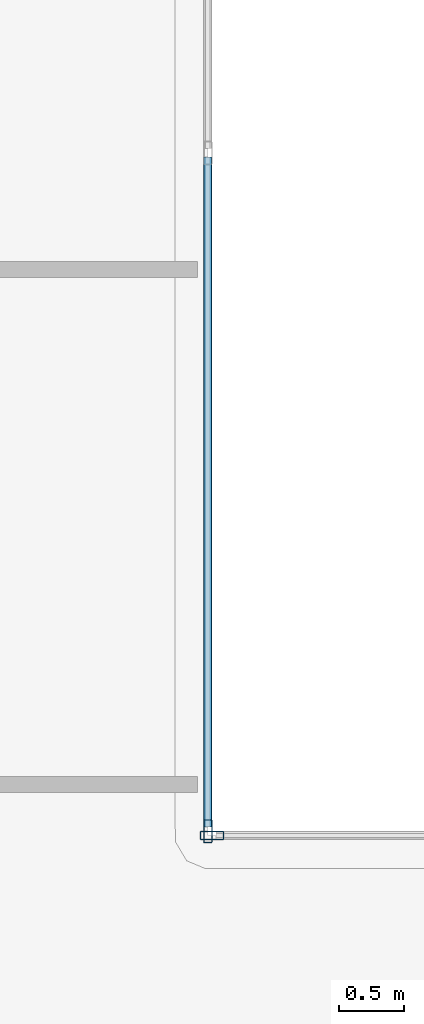
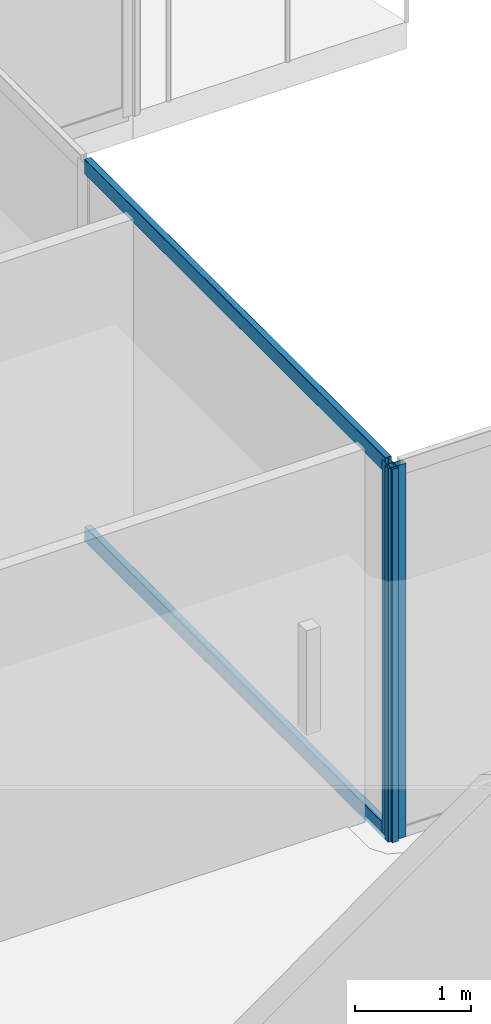
# One storey, part 15 of 52: 4 members, 2 elements without a shape of their own.
"""IFC4 building model written with IfcOpenShell, lengths in metres."""

from ifc_helpers import new_model, si_unit, direction, frame, origin, origin_2d, place, context, subcontext, project, spatial, hollow_rectangle, extrude, material, layer, layer_set, material_profile, profile_set, type_object, element, aggregate, save


model = new_model("IFC4")

# Units and contexts
model_context = context("Model", 3, precision=1e-05, world=origin(), true_north=direction((0.0, 1.0)))
body_context = subcontext(model_context, "Body", "Model", "MODEL_VIEW")
ifc_project = project(units=[si_unit("LENGTHUNIT", "METRE"), si_unit("AREAUNIT", "SQUARE_METRE"), si_unit("VOLUMEUNIT", "CUBIC_METRE"), si_unit("PLANEANGLEUNIT", "RADIAN"), si_unit("MASSUNIT", "GRAM", prefix="KILO")], contexts=[model_context])

# Site, building, storey
site_placement = place(None, origin())
site = spatial("IfcSite", under=ifc_project, at=site_placement, CompositionType="ELEMENT")
building_placement = place(site_placement, origin())
building = spatial("IfcBuilding", under=site, at=building_placement, Name="Qorvath Tower", CompositionType="ELEMENT")
storey_placement = place(building_placement, frame((0.0, 0.0, 61.800048828125)))
storey = spatial("IfcBuildingStorey", under=building, at=storey_placement, Name="L13", CompositionType="ELEMENT", Elevation=61.800048828125)

# Curtain wall, member
ifc_material_1 = material(Name="Anodised aluminium and triple low-E glass", Category="aluminium")
ifc_layer = layer(ifc_material_1, 0.179931640625)
ifc_layer_set = layer_set([ifc_layer], Name="CW-SYS-2")
curtain_wall_type = type_object("IfcCurtainWallType", Name="CW-SYS-2", PredefinedType="NOTDEFINED", material=ifc_layer_set)
curtain_wall_1_placement = place(storey_placement, origin())
curtain_wall_1 = element("IfcCurtainWall", 1, at=curtain_wall_1_placement, inside=storey, type_object=curtain_wall_type, Name="Curtain Wall CW-2 CW-T-L13-8.1", PredefinedType="NOTDEFINED")
ifc_material_2 = material(Name="Anodised aluminium 6063-T6", Category="aluminium")
ifc_material_profile_1 = material_profile(ifc_material_2, hollow_rectangle(XDim=0.06494140625, YDim=0.179931640625, WallThickness=0.00341796875, InnerFilletRadius=0.00341796875, OuterFilletRadius=0.007080078125, at=origin_2d()), Name="CWM 180x65")
ifc_profile_set_1 = profile_set([ifc_material_profile_1], Name="Anodised aluminium 6063-T6")
member_type_1 = type_object("IfcMemberType", Name="CWM-180", PredefinedType="MULLION", material=ifc_profile_set_1)
member_1_placement = place(storey_placement, frame((3.251953125, -5.2705078125, 0.0), z_axis=(0.0, 0.0, 1.0), x_axis=(0.0, -1.0, 0.0)))
member_1 = element("IfcMember", 2, at=member_1_placement, type_object=member_type_1, Name="CW-2 mullion 2", PredefinedType="MULLION", context=body_context, shape_type="SweptSolid", body=[
    extrude(hollow_rectangle(XDim=0.06494140625, YDim=0.179931640625, WallThickness=0.00341796875, InnerFilletRadius=0.00341796875, OuterFilletRadius=0.007080078125, at=origin_2d()), origin(), (0.0, 0.0, 1.0), 3.919921875),
])
aggregate(curtain_wall_1, [member_1])

# Curtain wall, members
curtain_wall_2_placement = place(storey_placement, origin())
curtain_wall_2 = element("IfcCurtainWall", 3, at=curtain_wall_2_placement, inside=storey, type_object=curtain_wall_type, Name="Curtain Wall CW-2 CW-T-L13-9.1", PredefinedType="NOTDEFINED")
member_2_placement = place(storey_placement, frame((3.219482421875, -5.238037109375, 0.0), z_axis=(0.0, 0.0, 1.0), x_axis=(-1.0, 0.0, 0.0)))
member_2 = element("IfcMember", 4, at=member_2_placement, type_object=member_type_1, Name="CW-2 mullion 1", PredefinedType="MULLION", context=body_context, shape_type="SweptSolid", body=[
    extrude(hollow_rectangle(XDim=0.06494140625, YDim=0.179931640625, WallThickness=0.00341796875, InnerFilletRadius=0.00341796875, OuterFilletRadius=0.007080078125, at=origin_2d()), origin(), (0.0, 0.0, 1.0), 3.919921875),
])
ifc_material_3 = material(Name="Anodised aluminium 6063-T6", Category="aluminium")
ifc_material_profile_2 = material_profile(ifc_material_3, hollow_rectangle(XDim=0.06494140625, YDim=0.159912109375, WallThickness=0.00341796875, InnerFilletRadius=0.00341796875, OuterFilletRadius=0.007080078125, at=origin_2d()), Name="CWT 160x65")
ifc_profile_set_2 = profile_set([ifc_material_profile_2], Name="Anodised aluminium 6063-T6")
member_type_2 = type_object("IfcMemberType", Name="CWT-160", PredefinedType="USERDEFINED", material=ifc_profile_set_2)
member_3_placement = place(storey_placement, frame((3.219482421875, -5.20556640625, 0.032470703125), z_axis=(0.0, 1.0, 0.0), x_axis=(-1.0, 0.0, 0.0)))
member_3 = element("IfcMember", 5, at=member_3_placement, type_object=member_type_2, Name="CW-2 transom 1.1", ObjectType="TRANSOM", PredefinedType="USERDEFINED", context=body_context, shape_type="SweptSolid", body=[
    extrude(hollow_rectangle(XDim=0.06494140625, YDim=0.159912109375, WallThickness=0.00341796875, InnerFilletRadius=0.00341796875, OuterFilletRadius=0.007080078125, at=origin_2d()), origin(), (0.0, 0.0, 1.0), 5.173095703125),
])
member_4_placement = place(storey_placement, frame((3.219482421875, -5.20556640625, 3.887451171875), z_axis=(0.0, 1.0, 0.0), x_axis=(-1.0, 0.0, 0.0)))
member_4 = element("IfcMember", 6, at=member_4_placement, type_object=member_type_2, Name="CW-2 transom 1.2", ObjectType="TRANSOM", PredefinedType="USERDEFINED", context=body_context, shape_type="SweptSolid", body=[
    extrude(hollow_rectangle(XDim=0.06494140625, YDim=0.159912109375, WallThickness=0.00341796875, InnerFilletRadius=0.00341796875, OuterFilletRadius=0.007080078125, at=origin_2d()), origin(), (0.0, 0.0, 1.0), 5.173095703125),
])
aggregate(curtain_wall_2, [member_2, member_3, member_4])

save(model, "model.ifc")
